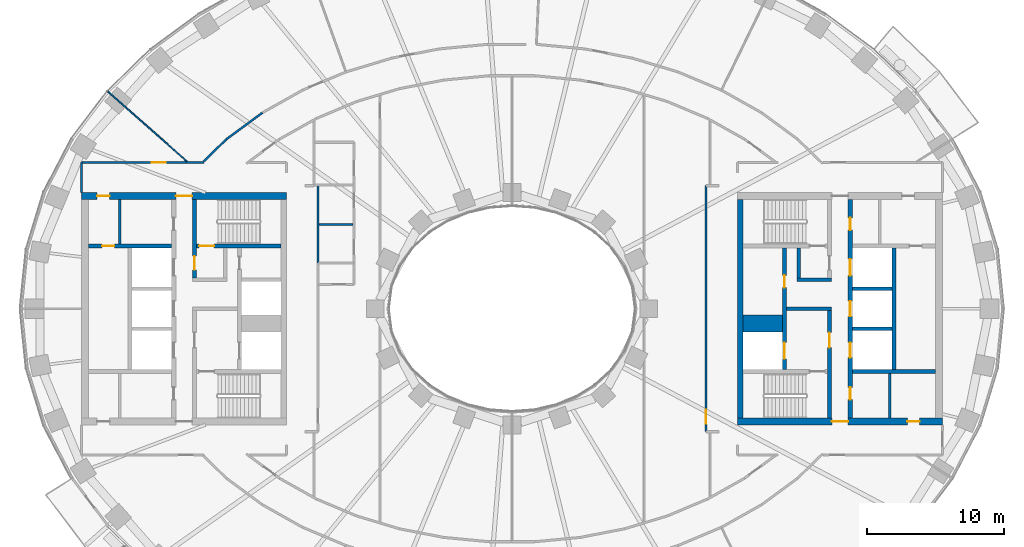
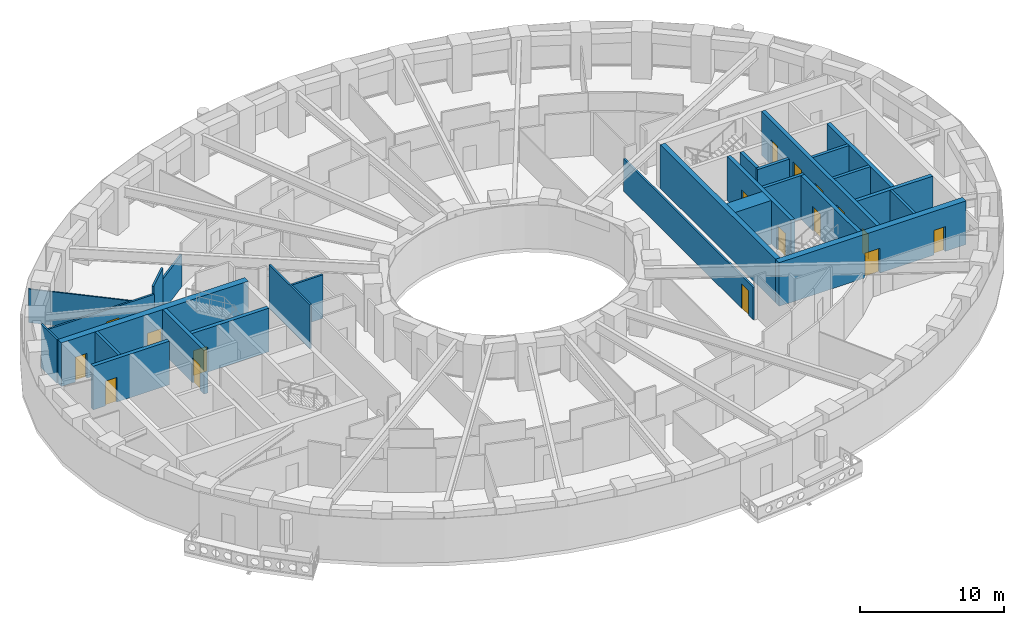
# One storey, part 5 of 16: 27 walls, 17 doors, 17 openings.
"""IFC4 building model written with IfcOpenShell, lengths in metres."""

from ifc_helpers import new_model, si_unit, direction, frame, frame_2d, origin, place, context, subcontext, project, spatial, rectangle, extrude, material, layer, layer_set, type_object, element, fill, save


model = new_model("IFC4")

# Units and contexts
model_context = context("Model", 3, precision=1e-05, world=origin(), true_north=direction((0.0, 1.0)))
body_context = subcontext(model_context, "Body", "Model", "MODEL_VIEW")
ifc_project = project(units=[si_unit("LENGTHUNIT", "METRE"), si_unit("AREAUNIT", "SQUARE_METRE"), si_unit("VOLUMEUNIT", "CUBIC_METRE"), si_unit("PLANEANGLEUNIT", "RADIAN"), si_unit("MASSUNIT", "GRAM", prefix="KILO")], contexts=[model_context])

# Site, building, storey
site_placement = place(None, origin())
site = spatial("IfcSite", under=ifc_project, at=site_placement, CompositionType="ELEMENT")
building_placement = place(site_placement, origin())
building = spatial("IfcBuilding", under=site, at=building_placement, Name="Noorbagh Ring Tower", CompositionType="ELEMENT")
storey_placement = place(building_placement, frame((0.0, 0.0, 78.5)))
storey = spatial("IfcBuildingStorey", under=building, at=storey_placement, Name="L17", CompositionType="ELEMENT", Elevation=78.5)

# Walls
ifc_material_1 = material(Name="Gypsum board on steel studs", Category="steel")
ifc_layer_1 = layer(ifc_material_1, 0.199951171875)
ifc_layer_set_1 = layer_set([ifc_layer_1], Name="Gypsum board on steel studs")
wall_type_1 = type_object("IfcWallType", Name="CORE-PARTITION-200", PredefinedType="PARTITIONING", material=ifc_layer_set_1)
for number, where, z_axis, x_axis, name in (
    (1, (-28.699951171875, 4.75, 0.0), (0.0, 0.0, 1.0), (0.0, 1.0, 0.0), "Core partition W"),
    (2, (27.64990234375, -8.0, 0.0), (0.0, 0.0, 1.0), (0.0, 1.0, 0.0), "Core partition E"),
):
    element("IfcWall", number, at=place(storey_placement, frame(where, z_axis=z_axis, x_axis=x_axis)), inside=storey, type_object=wall_type_1, Name=name, PredefinedType="PARTITIONING", context=body_context, shape_type="SweptSolid", body=[
        extrude(rectangle(XDim=3.25, YDim=0.199951171875, at=frame_2d((1.625, 0.0))), origin(), (0.0, 0.0, 1.0), 3.699951171875),
    ])
ifc_material_2 = material(Name="Concrete C70/85", Category="concrete")
ifc_layer_2 = layer(ifc_material_2, 1.25)
ifc_layer_set_2 = layer_set([ifc_layer_2], Name="Concrete C70/85")
wall_type_2 = type_object("IfcWallType", Name="CORE-WALL-1250-C70-85-EI120", PredefinedType="SHEAR", material=ifc_layer_set_2)
wall_1_placement = place(storey_placement, frame((16.89990234375, -1.074951171875, 0.0), z_axis=(0.0, 0.0, 1.0), x_axis=(1.0, 0.0, 0.0)))
element("IfcWall", 3, at=wall_1_placement, inside=storey, type_object=wall_type_2, Name="Core wall E", PredefinedType="SHEAR", context=body_context, shape_type="SweptSolid", body=[
    extrude(rectangle(XDim=2.900146484375, YDim=1.25, at=frame_2d((1.4501953125, 0.0))), origin(), (0.0, 0.0, 1.0), 3.699951171875),
])
ifc_material_3 = material(Name="Concrete C70/85", Category="concrete")
ifc_layer_3 = layer(ifc_material_3, 0.25)
ifc_layer_set_3 = layer_set([ifc_layer_3], Name="Concrete C70/85")
wall_type_3 = type_object("IfcWallType", Name="CORE-WALL-250-C70-85-EI120", PredefinedType="SHEAR", material=ifc_layer_set_3)
for number, where, z_axis, x_axis, name in (
    (4, (24.89990234375, -1.47509765625, 0.0), (0.0, 0.0, 1.0), (1.0, 0.0, 0.0), "Core wall E"),
    (5, (24.89990234375, 1.47509765625, 0.0), (0.0, 0.0, 1.0), (1.0, 0.0, 0.0), "Core wall E"),
):
    element("IfcWall", number, at=place(storey_placement, frame(where, z_axis=z_axis, x_axis=x_axis)), inside=storey, type_object=wall_type_3, Name=name, PredefinedType="SHEAR", context=body_context, shape_type="SweptSolid", body=[
        extrude(rectangle(XDim=2.900146484375, YDim=0.25, at=frame_2d((1.4501953125, 0.0))), origin(), (0.0, 0.0, 1.0), 3.699951171875),
    ])
ifc_material_4 = material(Name="Concrete C70/85", Category="concrete")
ifc_layer_4 = layer(ifc_material_4, 0.25)
ifc_layer_set_4 = layer_set([ifc_layer_4], Name="Concrete C70/85")
wall_type_4 = type_object("IfcWallType", Name="CORE-WALL-250-C70-85-EI240", PredefinedType="SHEAR", material=ifc_layer_set_4)
wall_2_placement = place(storey_placement, frame((20.10009765625, 0.0, 0.0), z_axis=(0.0, 0.0, 1.0), x_axis=(1.0, 0.0, 0.0)))
element("IfcWall", 6, at=wall_2_placement, inside=storey, type_object=wall_type_4, Name="Core wall E", PredefinedType="SHEAR", context=body_context, shape_type="SweptSolid", body=[
    extrude(rectangle(XDim=3.27978515625, YDim=0.25, at=frame_2d((1.639892578125, 0.0))), origin(), (0.0, 0.0, 1.0), 3.699951171875),
])
wall_3_placement = place(storey_placement, frame((20.85009765625, 2.125, 0.0), z_axis=(0.0, 0.0, 1.0), x_axis=(1.0, 0.0, 0.0)))
element("IfcWall", 7, at=wall_3_placement, inside=storey, type_object=wall_type_4, Name="Core wall E", PredefinedType="SHEAR", context=body_context, shape_type="SweptSolid", body=[
    extrude(rectangle(XDim=2.52978515625, YDim=0.25, at=frame_2d((1.264892578125, 0.0))), origin(), (0.0, 0.0, 1.0), 3.699951171875),
])
wall_4_placement = place(storey_placement, frame((20.97509765625, 2.25, 0.0), z_axis=(0.0, 0.0, 1.0), x_axis=(0.0, 1.0, 0.0)))
element("IfcWall", 8, at=wall_4_placement, inside=storey, type_object=wall_type_4, Name="Core wall E", PredefinedType="SHEAR", context=body_context, shape_type="SweptSolid", body=[
    extrude(rectangle(XDim=2.199951171875, YDim=0.25, at=frame_2d((1.10009765625, 0.0))), origin(), (0.0, 0.0, 1.0), 3.699951171875),
])
ifc_material_5 = material(Name="Concrete C70/85", Category="concrete")
ifc_layer_5 = layer(ifc_material_5, 0.300048828125)
ifc_layer_set_5 = layer_set([ifc_layer_5], Name="Concrete C70/85")
wall_type_5 = type_object("IfcWallType", Name="CORE-WALL-300-C70-85-EI120", PredefinedType="SHEAR", material=ifc_layer_set_5)
wall_5_placement = place(storey_placement, frame((27.949951171875, -4.449951171875, 0.0), z_axis=(0.0, 0.0, 1.0), x_axis=(0.0, 1.0, 0.0)))
element("IfcWall", 9, at=wall_5_placement, inside=storey, type_object=wall_type_5, Name="Core wall E", PredefinedType="SHEAR", context=body_context, shape_type="SweptSolid", body=[
    extrude(rectangle(XDim=8.89990234375, YDim=0.300048828125, at=frame_2d((4.449951171875, 0.0))), origin(), (0.0, 0.0, 1.0), 3.699951171875),
])

# Wall, openings, doors
wall_6_placement = place(storey_placement, frame((19.949951171875, -4.449951171875, 0.0), z_axis=(0.0, 0.0, 1.0), x_axis=(0.0, 1.0, 0.0)))
wall_6 = element("IfcWall", 10, at=wall_6_placement, inside=storey, type_object=wall_type_5, Name="Core wall E", PredefinedType="SHEAR", context=body_context, shape_type="SweptSolid", body=[
    extrude(rectangle(XDim=8.89990234375, YDim=0.300048828125, at=frame_2d((4.449951171875, 0.0))), origin(), (0.0, 0.0, 1.0), 3.699951171875),
])
opening_1_placement = place(wall_6_placement, frame((0.77490234375, 0.0, 0.0)))
opening_1 = element("IfcOpeningElement", 11, at=opening_1_placement, cuts=wall_6, Name="Opening L17-CE01", PredefinedType="OPENING", context=body_context, shape_type="SweptSolid", body=[
    extrude(rectangle(XDim=1.199951171875, YDim=2.10009765625, at=frame_2d((0.60009765625, 1.050048828125))), frame((0.0, 0.16015625, 0.0), z_axis=(0.0, -1.0, 0.0), x_axis=(1.0, 0.0, 0.0)), (0.0, 0.0, 1.0), 0.320068359375),
])
opening_2_placement = place(wall_6_placement, frame((6.0, 0.0, 0.0)))
opening_2 = element("IfcOpeningElement", 12, at=opening_2_placement, cuts=wall_6, Name="Opening L17-CE11", PredefinedType="OPENING", context=body_context, shape_type="SweptSolid", body=[
    extrude(rectangle(XDim=0.89990234375, YDim=2.10009765625, at=frame_2d((0.449951171875, 1.050048828125))), frame((0.0, 0.16015625, 0.0), z_axis=(0.0, -1.0, 0.0), x_axis=(1.0, 0.0, 0.0)), (0.0, 0.0, 1.0), 0.320068359375),
])
ifc_material_6 = material(Name="Steel door leaf", Category="steel")
door_type_1 = type_object("IfcDoorType", Name="CORE-DOOR-DROOM", OperationType="SINGLE_SWING_LEFT", PredefinedType="DOOR", material=ifc_material_6)
door_1_placement = place(opening_2_placement, origin())
door_1 = element("IfcDoor", 13, at=door_1_placement, inside=storey, type_object=door_type_1, Name="Core room door L17-CE11", OperationType="SINGLE_SWING_RIGHT", OverallHeight=2.10009765625, OverallWidth=0.89990234375, PredefinedType="DOOR", context=body_context, shape_type="SweptSolid", body=[
    extrude(rectangle(XDim=0.89990234375, YDim=2.10009765625, at=frame_2d((0.449951171875, 1.050048828125))), frame((0.0, 0.02490234375, 0.0), z_axis=(0.0, -1.0, 0.0), x_axis=(1.0, 0.0, 0.0)), (0.0, 0.0, 1.0), 0.050048828125),
])
fill(opening_2, door_1)
ifc_material_7 = material(Name="Steel door leaf", Category="steel")
door_type_2 = type_object("IfcDoorType", Name="CORE-DOOR-LDW", OperationType="DOUBLE_DOOR_SLIDING", PredefinedType="DOOR", material=ifc_material_7)
door_2_placement = place(opening_1_placement, origin())
door_2 = element("IfcDoor", 14, at=door_2_placement, inside=storey, type_object=door_type_2, Name="Landing door FF2 L17-CE01", OperationType="DOUBLE_DOOR_SLIDING", OverallHeight=2.10009765625, OverallWidth=1.199951171875, PredefinedType="DOOR", context=body_context, shape_type="SweptSolid", body=[
    extrude(rectangle(XDim=1.199951171875, YDim=2.10009765625, at=frame_2d((0.60009765625, 1.050048828125))), frame((0.0, 0.02490234375, 0.0), z_axis=(0.0, -1.0, 0.0), x_axis=(1.0, 0.0, 0.0)), (0.0, 0.0, 1.0), 0.050048828125),
])
fill(opening_1, door_2)

wall_7_placement = place(storey_placement, frame((24.75, -8.0, 0.0), z_axis=(0.0, 0.0, 1.0), x_axis=(0.0, 1.0, 0.0)))
wall_7 = element("IfcWall", 15, at=wall_7_placement, inside=storey, type_object=wall_type_5, Name="Core wall E", PredefinedType="SHEAR", context=body_context, shape_type="SweptSolid", body=[
    extrude(rectangle(XDim=16.0, YDim=0.300048828125, at=frame_2d((8.0, 0.0))), origin(), (0.0, 0.0, 1.0), 3.699951171875),
])
opening_3_placement = place(wall_7_placement, frame((4.425048828125, 0.0, 0.0)))
opening_3 = element("IfcOpeningElement", 16, at=opening_3_placement, cuts=wall_7, Name="Opening L17-CE02", PredefinedType="OPENING", context=body_context, shape_type="SweptSolid", body=[
    extrude(rectangle(XDim=1.10009765625, YDim=2.10009765625, at=frame_2d((0.550048828125, 1.050048828125))), frame((0.0, 0.16015625, 0.0), z_axis=(0.0, -1.0, 0.0), x_axis=(1.0, 0.0, 0.0)), (0.0, 0.0, 1.0), 0.320068359375),
])
opening_4_placement = place(wall_7_placement, frame((7.449951171875, 0.0, 0.0)))
opening_4 = element("IfcOpeningElement", 17, at=opening_4_placement, cuts=wall_7, Name="Opening L17-CE03", PredefinedType="OPENING", context=body_context, shape_type="SweptSolid", body=[
    extrude(rectangle(XDim=1.10009765625, YDim=2.10009765625, at=frame_2d((0.550048828125, 1.050048828125))), frame((0.0, 0.16015625, 0.0), z_axis=(0.0, -1.0, 0.0), x_axis=(1.0, 0.0, 0.0)), (0.0, 0.0, 1.0), 0.320068359375),
])
opening_5_placement = place(wall_7_placement, frame((10.425048828125, 0.0, 0.0)))
opening_5 = element("IfcOpeningElement", 18, at=opening_5_placement, cuts=wall_7, Name="Opening L17-CE04", PredefinedType="OPENING", context=body_context, shape_type="SweptSolid", body=[
    extrude(rectangle(XDim=1.199951171875, YDim=2.10009765625, at=frame_2d((0.60009765625, 1.050048828125))), frame((0.0, 0.16015625, 0.0), z_axis=(0.0, -1.0, 0.0), x_axis=(1.0, 0.0, 0.0)), (0.0, 0.0, 1.0), 0.320068359375),
])
opening_6_placement = place(wall_7_placement, frame((13.75, 0.0, 0.0)))
opening_6 = element("IfcOpeningElement", 19, at=opening_6_placement, cuts=wall_7, Name="Opening L17-CE12", PredefinedType="OPENING", context=body_context, shape_type="SweptSolid", body=[
    extrude(rectangle(XDim=0.89990234375, YDim=2.10009765625, at=frame_2d((0.449951171875, 1.050048828125))), frame((0.0, 0.16015625, 0.0), z_axis=(0.0, -1.0, 0.0), x_axis=(1.0, 0.0, 0.0)), (0.0, 0.0, 1.0), 0.320068359375),
])
opening_7_placement = place(wall_7_placement, frame((1.35009765625, 0.0, 0.0)))
opening_7 = element("IfcOpeningElement", 20, at=opening_7_placement, cuts=wall_7, Name="Opening L17-CE14", PredefinedType="OPENING", context=body_context, shape_type="SweptSolid", body=[
    extrude(rectangle(XDim=0.89990234375, YDim=2.10009765625, at=frame_2d((0.449951171875, 1.050048828125))), frame((0.0, 0.16015625, 0.0), z_axis=(0.0, -1.0, 0.0), x_axis=(1.0, 0.0, 0.0)), (0.0, 0.0, 1.0), 0.320068359375),
])
door_3_placement = place(opening_6_placement, origin())
door_3 = element("IfcDoor", 21, at=door_3_placement, inside=storey, type_object=door_type_1, Name="Core room door L17-CE12", OperationType="SINGLE_SWING_LEFT", OverallHeight=2.10009765625, OverallWidth=0.89990234375, PredefinedType="DOOR", context=body_context, shape_type="SweptSolid", body=[
    extrude(rectangle(XDim=0.89990234375, YDim=2.10009765625, at=frame_2d((0.449951171875, 1.050048828125))), frame((0.0, 0.02490234375, 0.0), z_axis=(0.0, -1.0, 0.0), x_axis=(1.0, 0.0, 0.0)), (0.0, 0.0, 1.0), 0.050048828125),
])
fill(opening_6, door_3)
door_4_placement = place(opening_7_placement, origin())
door_4 = element("IfcDoor", 22, at=door_4_placement, inside=storey, type_object=door_type_1, Name="Core room door L17-CE14", OperationType="SINGLE_SWING_RIGHT", OverallHeight=2.10009765625, OverallWidth=0.89990234375, PredefinedType="DOOR", context=body_context, shape_type="SweptSolid", body=[
    extrude(rectangle(XDim=0.89990234375, YDim=2.10009765625, at=frame_2d((0.449951171875, 1.050048828125))), frame((0.0, 0.02490234375, 0.0), z_axis=(0.0, -1.0, 0.0), x_axis=(1.0, 0.0, 0.0)), (0.0, 0.0, 1.0), 0.050048828125),
])
fill(opening_7, door_4)
ifc_material_8 = material(Name="Steel door leaf", Category="steel")
door_type_3 = type_object("IfcDoorType", Name="CORE-DOOR-LD", OperationType="DOUBLE_DOOR_SLIDING", PredefinedType="DOOR", material=ifc_material_8)
door_5_placement = place(opening_3_placement, origin())
door_5 = element("IfcDoor", 23, at=door_5_placement, inside=storey, type_object=door_type_3, Name="Landing door LR3 L17-CE02", OperationType="DOUBLE_DOOR_SLIDING", OverallHeight=2.10009765625, OverallWidth=1.10009765625, PredefinedType="DOOR", context=body_context, shape_type="SweptSolid", body=[
    extrude(rectangle(XDim=1.10009765625, YDim=2.10009765625, at=frame_2d((0.550048828125, 1.050048828125))), frame((0.0, 0.02490234375, 0.0), z_axis=(0.0, -1.0, 0.0), x_axis=(1.0, 0.0, 0.0)), (0.0, 0.0, 1.0), 0.050048828125),
])
fill(opening_3, door_5)
door_6_placement = place(opening_4_placement, origin())
door_6 = element("IfcDoor", 24, at=door_6_placement, inside=storey, type_object=door_type_3, Name="Landing door LR4 L17-CE03", OperationType="DOUBLE_DOOR_SLIDING", OverallHeight=2.10009765625, OverallWidth=1.10009765625, PredefinedType="DOOR", context=body_context, shape_type="SweptSolid", body=[
    extrude(rectangle(XDim=1.10009765625, YDim=2.10009765625, at=frame_2d((0.550048828125, 1.050048828125))), frame((0.0, 0.02490234375, 0.0), z_axis=(0.0, -1.0, 0.0), x_axis=(1.0, 0.0, 0.0)), (0.0, 0.0, 1.0), 0.050048828125),
])
fill(opening_4, door_6)
door_7_placement = place(opening_5_placement, origin())
door_7 = element("IfcDoor", 25, at=door_7_placement, inside=storey, type_object=door_type_2, Name="Landing door SV2 L17-CE04", OperationType="DOUBLE_DOOR_SLIDING", OverallHeight=2.10009765625, OverallWidth=1.199951171875, PredefinedType="DOOR", context=body_context, shape_type="SweptSolid", body=[
    extrude(rectangle(XDim=1.199951171875, YDim=2.10009765625, at=frame_2d((0.60009765625, 1.050048828125))), frame((0.0, 0.02490234375, 0.0), z_axis=(0.0, -1.0, 0.0), x_axis=(1.0, 0.0, 0.0)), (0.0, 0.0, 1.0), 0.050048828125),
])
fill(opening_5, door_7)

# Wall, opening, door
ifc_material_9 = material(Name="Concrete C70/85", Category="concrete")
ifc_layer_6 = layer(ifc_material_9, 0.300048828125)
ifc_layer_set_6 = layer_set([ifc_layer_6], Name="Concrete C70/85")
wall_type_6 = type_object("IfcWallType", Name="CORE-WALL-300-C70-85-EI240", PredefinedType="SHEAR", material=ifc_layer_set_6)
wall_8_placement = place(storey_placement, frame((-24.89990234375, 4.60009765625, 0.0), z_axis=(0.0, 0.0, 1.0), x_axis=(-1.0, 0.0, 0.0)))
wall_8 = element("IfcWall", 26, at=wall_8_placement, inside=storey, type_object=wall_type_6, Name="Core wall W", PredefinedType="SHEAR", context=body_context, shape_type="SweptSolid", body=[
    extrude(rectangle(XDim=6.10009765625, YDim=0.300048828125, at=frame_2d((3.050048828125, 0.0))), origin(), (0.0, 0.0, 1.0), 3.699951171875),
])
opening_8_placement = place(wall_8_placement, frame((4.199951171875, 0.0, 0.0)))
opening_8 = element("IfcOpeningElement", 27, at=opening_8_placement, cuts=wall_8, Name="Opening L17-CW16", PredefinedType="OPENING", context=body_context, shape_type="SweptSolid", body=[
    extrude(rectangle(XDim=0.89990234375, YDim=2.10009765625, at=frame_2d((0.449951171875, 1.050048828125))), frame((0.0, 0.16015625, 0.0), z_axis=(0.0, -1.0, 0.0), x_axis=(1.0, 0.0, 0.0)), (0.0, 0.0, 1.0), 0.320068359375),
])
door_8_placement = place(opening_8_placement, origin())
door_8 = element("IfcDoor", 28, at=door_8_placement, inside=storey, type_object=door_type_1, Name="Core room door L17-CW16", OperationType="SINGLE_SWING_LEFT", OverallHeight=2.10009765625, OverallWidth=0.89990234375, PredefinedType="DOOR", context=body_context, shape_type="SweptSolid", body=[
    extrude(rectangle(XDim=0.89990234375, YDim=2.10009765625, at=frame_2d((0.449951171875, 1.050048828125))), frame((0.0, 0.02490234375, 0.0), z_axis=(0.0, -1.0, 0.0), x_axis=(1.0, 0.0, 0.0)), (0.0, 0.0, 1.0), 0.050048828125),
])
fill(opening_8, door_8)

wall_9_placement = place(storey_placement, frame((-23.22998046875, 2.25, 0.0), z_axis=(0.0, 0.0, 1.0), x_axis=(0.0, 1.0, 0.0)))
wall_9 = element("IfcWall", 29, at=wall_9_placement, inside=storey, type_object=wall_type_6, Name="Core wall W", PredefinedType="SHEAR", context=body_context, shape_type="SweptSolid", body=[
    extrude(rectangle(XDim=5.75, YDim=0.300048828125, at=frame_2d((2.875, 0.0))), origin(), (0.0, 0.0, 1.0), 3.699951171875),
])
opening_9_placement = place(wall_9_placement, frame((0.60009765625, 0.0, 0.0)))
opening_9 = element("IfcOpeningElement", 30, at=opening_9_placement, cuts=wall_9, Name="Opening L17-CW08", PredefinedType="OPENING", context=body_context, shape_type="SweptSolid", body=[
    extrude(rectangle(XDim=1.0, YDim=2.10009765625, at=frame_2d((0.5, 1.050048828125))), frame((0.0, 0.16015625, 0.0), z_axis=(0.0, -1.0, 0.0), x_axis=(1.0, 0.0, 0.0)), (0.0, 0.0, 1.0), 0.320068359375),
])
ifc_material_10 = material(Name="Steel door leaf", Category="steel")
door_type_4 = type_object("IfcDoorType", Name="CORE-DOOR-DVEST", OperationType="SINGLE_SWING_LEFT", PredefinedType="DOOR", material=ifc_material_10)
door_9_placement = place(opening_9_placement, origin())
door_9 = element("IfcDoor", 31, at=door_9_placement, inside=storey, type_object=door_type_4, Name="Stair vestibule door L17-CW08", OperationType="SINGLE_SWING_LEFT", OverallHeight=2.10009765625, OverallWidth=1.0, PredefinedType="DOOR", context=body_context, shape_type="SweptSolid", body=[
    extrude(rectangle(XDim=1.0, YDim=2.10009765625, at=frame_2d((0.5, 1.050048828125))), frame((0.0, 0.02490234375, 0.0), z_axis=(0.0, -1.0, 0.0), x_axis=(1.0, 0.0, 0.0)), (0.0, 0.0, 1.0), 0.050048828125),
])
fill(opening_9, door_9)

wall_10_placement = place(storey_placement, frame((-16.89990234375, 4.60009765625, 0.0), z_axis=(0.0, 0.0, 1.0), x_axis=(-1.0, 0.0, 0.0)))
wall_10 = element("IfcWall", 32, at=wall_10_placement, inside=storey, type_object=wall_type_6, Name="Core wall W", PredefinedType="SHEAR", context=body_context, shape_type="SweptSolid", body=[
    extrude(rectangle(XDim=6.18017578125, YDim=0.300048828125, at=frame_2d((3.090087890625, 0.0))), origin(), (0.0, 0.0, 1.0), 3.699951171875),
])
opening_10_placement = place(wall_10_placement, frame((4.89990234375, 0.0, 0.0)))
opening_10 = element("IfcOpeningElement", 33, at=opening_10_placement, cuts=wall_10, Name="Opening L17-CW05", PredefinedType="OPENING", context=body_context, shape_type="SweptSolid", body=[
    extrude(rectangle(XDim=1.10009765625, YDim=2.10009765625, at=frame_2d((0.550048828125, 1.050048828125))), frame((0.0, 0.16015625, 0.0), z_axis=(0.0, -1.0, 0.0), x_axis=(1.0, 0.0, 0.0)), (0.0, 0.0, 1.0), 0.320068359375),
])
ifc_material_11 = material(Name="Steel door leaf", Category="steel")
door_type_5 = type_object("IfcDoorType", Name="CORE-DOOR-DSTAIR", OperationType="SINGLE_SWING_LEFT", PredefinedType="DOOR", material=ifc_material_11)
door_10_placement = place(opening_10_placement, origin())
door_10 = element("IfcDoor", 34, at=door_10_placement, inside=storey, type_object=door_type_5, Name="Stair door ST1 L17-CW05", OperationType="SINGLE_SWING_RIGHT", OverallHeight=2.10009765625, OverallWidth=1.10009765625, PredefinedType="DOOR", context=body_context, shape_type="SweptSolid", body=[
    extrude(rectangle(XDim=1.10009765625, YDim=2.10009765625, at=frame_2d((0.550048828125, 1.050048828125))), frame((0.0, 0.02490234375, 0.0), z_axis=(0.0, -1.0, 0.0), x_axis=(1.0, 0.0, 0.0)), (0.0, 0.0, 1.0), 0.050048828125),
])
fill(opening_10, door_10)

# Wall
wall_11_placement = place(storey_placement, frame((24.89990234375, -4.60009765625, 0.0), z_axis=(0.0, 0.0, 1.0), x_axis=(1.0, 0.0, 0.0)))
element("IfcWall", 35, at=wall_11_placement, inside=storey, type_object=wall_type_6, Name="Core wall E", PredefinedType="SHEAR", context=body_context, shape_type="SweptSolid", body=[
    extrude(rectangle(XDim=6.10009765625, YDim=0.300048828125, at=frame_2d((3.050048828125, 0.0))), origin(), (0.0, 0.0, 1.0), 3.699951171875),
])

# Wall, opening, door
wall_12_placement = place(storey_placement, frame((23.22998046875, -8.0, 0.0), z_axis=(0.0, 0.0, 1.0), x_axis=(0.0, 1.0, 0.0)))
wall_12 = element("IfcWall", 36, at=wall_12_placement, inside=storey, type_object=wall_type_6, Name="Core wall E", PredefinedType="SHEAR", context=body_context, shape_type="SweptSolid", body=[
    extrude(rectangle(XDim=7.875, YDim=0.300048828125, at=frame_2d((3.9375, 0.0))), origin(), (0.0, 0.0, 1.0), 3.699951171875),
])
opening_11_placement = place(wall_12_placement, frame((5.14990234375, 0.0, 0.0)))
opening_11 = element("IfcOpeningElement", 37, at=opening_11_placement, cuts=wall_12, Name="Opening L17-CE07", PredefinedType="OPENING", context=body_context, shape_type="SweptSolid", body=[
    extrude(rectangle(XDim=1.10009765625, YDim=2.10009765625, at=frame_2d((0.550048828125, 1.050048828125))), frame((0.0, 0.16015625, 0.0), z_axis=(0.0, -1.0, 0.0), x_axis=(1.0, 0.0, 0.0)), (0.0, 0.0, 1.0), 0.320068359375),
])
ifc_material_12 = material(Name="Steel door leaf", Category="steel")
door_type_6 = type_object("IfcDoorType", Name="CORE-DOOR-DFF", OperationType="SINGLE_SWING_LEFT", PredefinedType="DOOR", material=ifc_material_12)
door_11_placement = place(opening_11_placement, origin())
door_11 = element("IfcDoor", 38, at=door_11_placement, inside=storey, type_object=door_type_6, Name="Firefighting lobby door L17-CE07", OperationType="SINGLE_SWING_RIGHT", OverallHeight=2.10009765625, OverallWidth=1.10009765625, PredefinedType="DOOR", context=body_context, shape_type="SweptSolid", body=[
    extrude(rectangle(XDim=1.10009765625, YDim=2.10009765625, at=frame_2d((0.550048828125, 1.050048828125))), frame((0.0, 0.02490234375, 0.0), z_axis=(0.0, -1.0, 0.0), x_axis=(1.0, 0.0, 0.0)), (0.0, 0.0, 1.0), 0.050048828125),
])
fill(opening_11, door_11)

# Wall
ifc_material_13 = material(Name="Concrete C70/85", Category="concrete")
ifc_layer_7 = layer(ifc_material_13, 0.39990234375)
ifc_layer_set_7 = layer_set([ifc_layer_7], Name="Concrete C70/85")
wall_type_7 = type_object("IfcWallType", Name="CORE-WALL-400-C70-85-EI240", PredefinedType="SHEAR", material=ifc_layer_set_7)
wall_13_placement = place(storey_placement, frame((16.699951171875, -8.0, 0.0), z_axis=(0.0, 0.0, 1.0), x_axis=(0.0, 1.0, 0.0)))
element("IfcWall", 39, at=wall_13_placement, inside=storey, type_object=wall_type_7, Name="Core wall E", PredefinedType="SHEAR", context=body_context, shape_type="SweptSolid", body=[
    extrude(rectangle(XDim=16.0, YDim=0.39990234375, at=frame_2d((8.0, 0.0))), origin(), (0.0, 0.0, 1.0), 3.699951171875),
])

# Wall, openings, doors
ifc_material_14 = material(Name="Concrete C70/85", Category="concrete")
ifc_layer_8 = layer(ifc_material_14, 0.5)
ifc_layer_set_8 = layer_set([ifc_layer_8], Name="Concrete C70/85")
wall_type_8 = type_object("IfcWallType", Name="CORE-WALL-500-C70-85-EI240", PredefinedType="SHEAR", material=ifc_layer_set_8)
wall_14_placement = place(storey_placement, frame((-16.5, 8.25, 0.0), z_axis=(0.0, 0.0, 1.0), x_axis=(-1.0, 0.0, 0.0)))
wall_14 = element("IfcWall", 40, at=wall_14_placement, inside=storey, type_object=wall_type_8, Name="Core wall W", PredefinedType="SHEAR", context=body_context, shape_type="SweptSolid", body=[
    extrude(rectangle(XDim=15.0, YDim=0.5, at=frame_2d((7.5, 0.0))), origin(), (0.0, 0.0, 1.0), 3.699951171875),
])
opening_12_placement = place(wall_14_placement, frame((6.89990234375, 0.0, 0.0)))
opening_12 = element("IfcOpeningElement", 41, at=opening_12_placement, cuts=wall_14, Name="Opening L17-CW09", PredefinedType="OPENING", context=body_context, shape_type="SweptSolid", body=[
    extrude(rectangle(XDim=1.199951171875, YDim=2.10009765625, at=frame_2d((0.60009765625, 1.050048828125))), frame((0.0, 0.260009765625, 0.0), z_axis=(0.0, -1.0, 0.0), x_axis=(1.0, 0.0, 0.0)), (0.0, 0.0, 1.0), 0.52001953125),
])
opening_13_placement = place(wall_14_placement, frame((12.949951171875, 0.0, 0.0)))
opening_13 = element("IfcOpeningElement", 42, at=opening_13_placement, cuts=wall_14, Name="Opening L17-CW13", PredefinedType="OPENING", context=body_context, shape_type="SweptSolid", body=[
    extrude(rectangle(XDim=0.89990234375, YDim=2.10009765625, at=frame_2d((0.449951171875, 1.050048828125))), frame((0.0, 0.260009765625, 0.0), z_axis=(0.0, -1.0, 0.0), x_axis=(1.0, 0.0, 0.0)), (0.0, 0.0, 1.0), 0.52001953125),
])
door_12_placement = place(opening_13_placement, origin())
door_12 = element("IfcDoor", 43, at=door_12_placement, inside=storey, type_object=door_type_1, Name="Core room door L17-CW13", OperationType="SINGLE_SWING_RIGHT", OverallHeight=2.10009765625, OverallWidth=0.89990234375, PredefinedType="DOOR", context=body_context, shape_type="SweptSolid", body=[
    extrude(rectangle(XDim=0.89990234375, YDim=2.10009765625, at=frame_2d((0.449951171875, 1.050048828125))), frame((0.0, 0.02490234375, 0.0), z_axis=(0.0, -1.0, 0.0), x_axis=(1.0, 0.0, 0.0)), (0.0, 0.0, 1.0), 0.050048828125),
])
fill(opening_13, door_12)
ifc_material_15 = material(Name="Steel door leaf", Category="steel")
door_type_7 = type_object("IfcDoorType", Name="CORE-DOOR-PORT", OperationType="DOUBLE_DOOR_DOUBLE_SWING", PredefinedType="DOOR", material=ifc_material_15)
door_13_placement = place(opening_12_placement, origin())
door_13 = element("IfcDoor", 44, at=door_13_placement, inside=storey, type_object=door_type_7, Name="Core entrance door L17-CW09", OperationType="DOUBLE_DOOR_DOUBLE_SWING", OverallHeight=2.10009765625, OverallWidth=1.199951171875, PredefinedType="DOOR", context=body_context, shape_type="SweptSolid", body=[
    extrude(rectangle(XDim=1.199951171875, YDim=2.10009765625, at=frame_2d((0.60009765625, 1.050048828125))), frame((0.0, 0.02490234375, 0.0), z_axis=(0.0, -1.0, 0.0), x_axis=(1.0, 0.0, 0.0)), (0.0, 0.0, 1.0), 0.050048828125),
])
fill(opening_12, door_13)

wall_15_placement = place(storey_placement, frame((16.5, -8.25, 0.0), z_axis=(0.0, 0.0, 1.0), x_axis=(1.0, 0.0, 0.0)))
wall_15 = element("IfcWall", 45, at=wall_15_placement, inside=storey, type_object=wall_type_8, Name="Core wall E", PredefinedType="SHEAR", context=body_context, shape_type="SweptSolid", body=[
    extrude(rectangle(XDim=15.0, YDim=0.5, at=frame_2d((7.5, 0.0))), origin(), (0.0, 0.0, 1.0), 3.699951171875),
])
opening_14_placement = place(wall_15_placement, frame((6.89990234375, 0.0, 0.0)))
opening_14 = element("IfcOpeningElement", 46, at=opening_14_placement, cuts=wall_15, Name="Opening L17-CE10", PredefinedType="OPENING", context=body_context, shape_type="SweptSolid", body=[
    extrude(rectangle(XDim=1.199951171875, YDim=2.10009765625, at=frame_2d((0.60009765625, 1.050048828125))), frame((0.0, 0.260009765625, 0.0), z_axis=(0.0, -1.0, 0.0), x_axis=(1.0, 0.0, 0.0)), (0.0, 0.0, 1.0), 0.52001953125),
])
opening_15_placement = place(wall_15_placement, frame((12.425048828125, 0.0, 0.0)))
opening_15 = element("IfcOpeningElement", 47, at=opening_15_placement, cuts=wall_15, Name="Opening L17-CE15", PredefinedType="OPENING", context=body_context, shape_type="SweptSolid", body=[
    extrude(rectangle(XDim=0.89990234375, YDim=2.10009765625, at=frame_2d((0.449951171875, 1.050048828125))), frame((0.0, 0.260009765625, 0.0), z_axis=(0.0, -1.0, 0.0), x_axis=(1.0, 0.0, 0.0)), (0.0, 0.0, 1.0), 0.52001953125),
])
door_14_placement = place(opening_15_placement, origin())
door_14 = element("IfcDoor", 48, at=door_14_placement, inside=storey, type_object=door_type_1, Name="Core room door L17-CE15", OperationType="SINGLE_SWING_RIGHT", OverallHeight=2.10009765625, OverallWidth=0.89990234375, PredefinedType="DOOR", context=body_context, shape_type="SweptSolid", body=[
    extrude(rectangle(XDim=0.89990234375, YDim=2.10009765625, at=frame_2d((0.449951171875, 1.050048828125))), frame((0.0, 0.02490234375, 0.0), z_axis=(0.0, -1.0, 0.0), x_axis=(1.0, 0.0, 0.0)), (0.0, 0.0, 1.0), 0.050048828125),
])
fill(opening_15, door_14)
door_15_placement = place(opening_14_placement, origin())
door_15 = element("IfcDoor", 49, at=door_15_placement, inside=storey, type_object=door_type_7, Name="Core entrance door L17-CE10", OperationType="DOUBLE_DOOR_DOUBLE_SWING", OverallHeight=2.10009765625, OverallWidth=1.199951171875, PredefinedType="DOOR", context=body_context, shape_type="SweptSolid", body=[
    extrude(rectangle(XDim=1.199951171875, YDim=2.10009765625, at=frame_2d((0.60009765625, 1.050048828125))), frame((0.0, 0.02490234375, 0.0), z_axis=(0.0, -1.0, 0.0), x_axis=(1.0, 0.0, 0.0)), (0.0, 0.0, 1.0), 0.050048828125),
])
fill(opening_14, door_15)

# Wall
ifc_material_16 = material(Name="Gypsum board on steel studs", Category="steel")
ifc_layer_9 = layer(ifc_material_16, 0.14990234375)
ifc_layer_set_9 = layer_set([ifc_layer_9], Name="Gypsum board on steel studs")
wall_type_9 = type_object("IfcWallType", Name="CORRIDOR PARTITION 150 EI 30", PredefinedType="PARTITIONING", material=ifc_layer_set_9)
wall_16_placement = place(storey_placement, frame((-31.5, 8.5, 0.0), z_axis=(0.0, 0.0, 1.0), x_axis=(0.0, 1.0, 0.0)))
element("IfcWall", 50, at=wall_16_placement, inside=storey, type_object=wall_type_9, Name="L17/wall/P04", PredefinedType="PARTITIONING", context=body_context, shape_type="SweptSolid", body=[
    extrude(rectangle(XDim=2.199951171875, YDim=0.14990234375, at=frame_2d((1.10009765625, 0.0))), origin(), (0.0, 0.0, 1.0), 3.699951171875),
])

# Wall, opening, door
wall_17_placement = place(storey_placement, frame((-31.5, 10.699951171875, 0.0), z_axis=(0.0, 0.0, 1.0), x_axis=(1.0, 0.0, 0.0)))
wall_17 = element("IfcWall", 51, at=wall_17_placement, inside=storey, type_object=wall_type_9, Name="L17/wall/P05", PredefinedType="PARTITIONING", context=body_context, shape_type="SweptSolid", body=[
    extrude(rectangle(XDim=8.9609375, YDim=0.14990234375, at=frame_2d((4.48046875, 0.0))), origin(), (0.0, 0.0, 1.0), 3.10009765625),
])
opening_16_placement = place(wall_17_placement, frame((5.153076171875, 0.0, 0.0)))
opening_16 = element("IfcOpeningElement", 52, at=opening_16_placement, cuts=wall_17, Name="Opening D1", PredefinedType="OPENING", context=body_context, shape_type="SweptSolid", body=[
    extrude(rectangle(XDim=1.0, YDim=2.10009765625, at=frame_2d((0.5, 1.050048828125))), frame((0.0, 0.0849609375, 0.0), z_axis=(0.0, -1.0, 0.0), x_axis=(1.0, 0.0, 0.0)), (0.0, 0.0, 1.0), 0.169921875),
])
ifc_material_17 = material(Name="Timber, painted", Category="wood")
door_type_8 = type_object("IfcDoorType", Name="DOOR 1000 X 2100 FD30", OperationType="SINGLE_SWING_LEFT", PredefinedType="DOOR", material=ifc_material_17)
door_16_placement = place(opening_16_placement, origin())
door_16 = element("IfcDoor", 53, at=door_16_placement, inside=storey, type_object=door_type_8, Name="L17-D07", OperationType="SINGLE_SWING_LEFT", OverallHeight=2.10009765625, OverallWidth=1.0, PredefinedType="DOOR", context=body_context, shape_type="SweptSolid", body=[
    extrude(rectangle(XDim=1.0, YDim=2.10009765625, at=frame_2d((0.5, 1.050048828125))), frame((0.0, 0.02490234375, 0.0), z_axis=(0.0, -1.0, 0.0), x_axis=(1.0, 0.0, 0.0)), (0.0, 0.0, 1.0), 0.050048828125),
])
fill(opening_16, door_16)

# Walls
wall_18_placement = place(storey_placement, frame((-22.570068359375, 10.77490234375, 0.0), z_axis=(0.0, 0.0, 1.0), x_axis=(0.717045582263, 0.697026278527, 0.0)))
element("IfcWall", 54, at=wall_18_placement, inside=storey, type_object=wall_type_9, Name="L17/wall/P08", PredefinedType="PARTITIONING", context=body_context, shape_type="SweptSolid", body=[
    extrude(rectangle(XDim=2.341552734375, YDim=0.14990234375, at=frame_2d((1.1708984375, 0.0))), origin(), (0.0, 0.0, 1.0), 3.699951171875),
])
wall_19_placement = place(storey_placement, frame((-20.89111328125, 12.406982421875, 0.0), z_axis=(0.0, 0.0, 1.0), x_axis=(0.805303685339, 0.592862525701, 0.0)))
element("IfcWall", 55, at=wall_19_placement, inside=storey, type_object=wall_type_9, Name="L17/wall/P10", PredefinedType="PARTITIONING", context=body_context, shape_type="SweptSolid", body=[
    extrude(rectangle(XDim=3.267333984375, YDim=0.14990234375, at=frame_2d((1.6337890625, 0.0))), origin(), (0.0, 0.0, 1.0), 2.75),
])
wall_20_placement = place(storey_placement, frame((-14.199951171875, 3.342041015625, 0.0), z_axis=(0.0, 0.0, 1.0), x_axis=(0.0, 1.0, 0.0)))
element("IfcWall", 56, at=wall_20_placement, inside=storey, type_object=wall_type_9, Name="L17/wall/P36", PredefinedType="PARTITIONING", context=body_context, shape_type="SweptSolid", body=[
    extrude(rectangle(XDim=5.657958984375, YDim=0.14990234375, at=frame_2d((2.8291015625, 0.0))), origin(), (0.0, 0.0, 1.0), 3.699951171875),
])
wall_21_placement = place(storey_placement, frame((-14.125, 6.14990234375, 0.0), z_axis=(0.0, 0.0, 1.0), x_axis=(1.0, 0.0, 0.0)))
element("IfcWall", 57, at=wall_21_placement, inside=storey, type_object=wall_type_9, Name="L17/wall/P38", PredefinedType="PARTITIONING", context=body_context, shape_type="SweptSolid", body=[
    extrude(rectangle(XDim=2.485107421875, YDim=0.14990234375, at=frame_2d((1.24267578125, 0.0))), origin(), (0.0, 0.0, 1.0), 3.699951171875),
])

# Wall, opening, door
wall_22_placement = place(storey_placement, frame((14.199951171875, -9.0, 0.0), z_axis=(0.0, 0.0, 1.0), x_axis=(0.0, 1.0, 0.0)))
wall_22 = element("IfcWall", 58, at=wall_22_placement, inside=storey, type_object=wall_type_9, Name="L17/wall/P81", PredefinedType="PARTITIONING", context=body_context, shape_type="SweptSolid", body=[
    extrude(rectangle(XDim=18.0, YDim=0.14990234375, at=frame_2d((9.0, 0.0))), origin(), (0.0, 0.0, 1.0), 2.75),
])
opening_17_placement = place(wall_22_placement, frame((0.60009765625, 0.0, 0.0)))
opening_17 = element("IfcOpeningElement", 59, at=opening_17_placement, cuts=wall_22, Name="Opening D1", PredefinedType="OPENING", context=body_context, shape_type="SweptSolid", body=[
    extrude(rectangle(XDim=1.0, YDim=2.10009765625, at=frame_2d((0.5, 1.050048828125))), frame((0.0, 0.0849609375, 0.0), z_axis=(0.0, -1.0, 0.0), x_axis=(1.0, 0.0, 0.0)), (0.0, 0.0, 1.0), 0.169921875),
])
door_17_placement = place(opening_17_placement, origin())
door_17 = element("IfcDoor", 60, at=door_17_placement, inside=storey, type_object=door_type_8, Name="L17-D20", OperationType="SINGLE_SWING_RIGHT", OverallHeight=2.10009765625, OverallWidth=1.0, PredefinedType="DOOR", context=body_context, shape_type="SweptSolid", body=[
    extrude(rectangle(XDim=1.0, YDim=2.10009765625, at=frame_2d((0.5, 1.050048828125))), frame((0.0, 0.02490234375, 0.0), z_axis=(0.0, -1.0, 0.0), x_axis=(1.0, 0.0, 0.0)), (0.0, 0.0, 1.0), 0.050048828125),
])
fill(opening_17, door_17)

# Wall
ifc_material_18 = material(Name="Gypsum board on steel studs", Category="steel")
ifc_layer_10 = layer(ifc_material_18, 0.10009765625)
ifc_layer_set_10 = layer_set([ifc_layer_10], Name="Gypsum board on steel studs")
wall_type_10 = type_object("IfcWallType", Name="PARTITION 100 GYPSUM", PredefinedType="PARTITIONING", material=ifc_layer_set_10)
wall_23_placement = place(storey_placement, frame((-29.569091796875, 15.89501953125, 0.0), z_axis=(0.0, 0.0, 1.0), x_axis=(0.748985701008, -0.662586160198, 0.0)))
element("IfcWall", 61, at=wall_23_placement, inside=storey, type_object=wall_type_10, Name="L17/wall/P06", PredefinedType="PARTITIONING", context=body_context, shape_type="SweptSolid", body=[
    extrude(rectangle(XDim=7.72265625, YDim=0.10009765625, at=frame_2d((3.861328125, 0.0))), origin(), (0.0, 0.0, 1.0), 2.85009765625),
])

save(model, "model.ifc")
